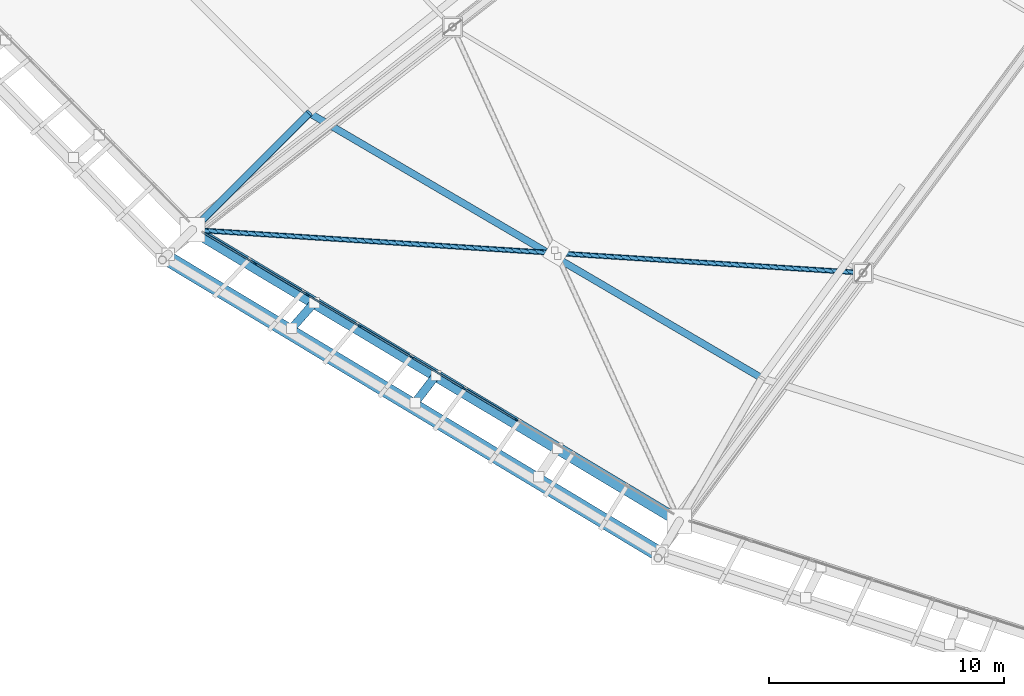
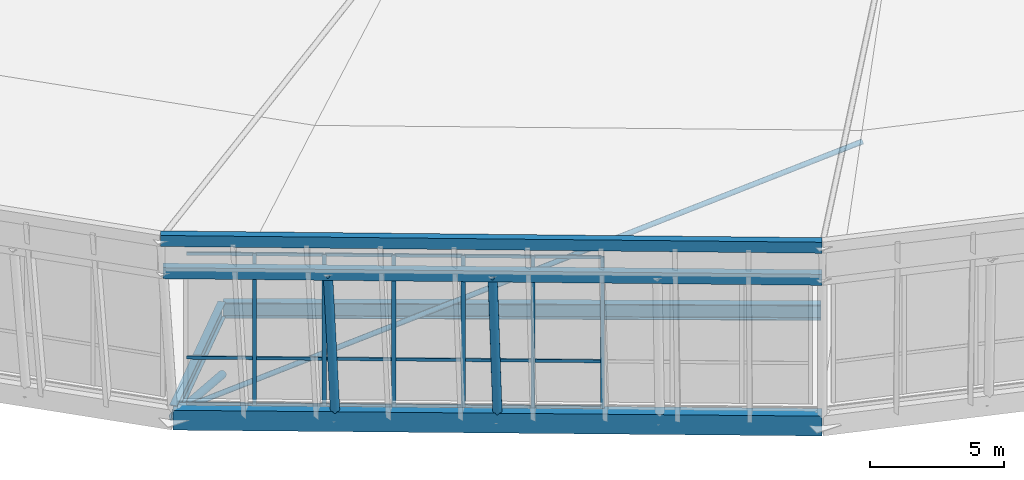
# One storey, part 3 of 115: 28 members, 5 beams, 1 element without a shape of its own.
"""IFC4 building model written with IfcOpenShell, lengths in metres."""

import ifcopenshell
import ifcopenshell.guid

model = None  # the IFC model being written
_history = None  # IfcOwnerHistory: only IFC2X3 demands one
_inside = {}  # id of a spatial element -> (the spatial element, [elements in it])
_under = {}  # id of a project, library or spatial element -> (it, [spatial elements below it])
_declared = {}  # id of a project -> (the project, [libraries it declares])
_typed = {}  # id of a type object -> (the type object, [elements of that type])
_made_of = {}  # id of a material, layer set ... -> (it, [elements and type objects made of it])


def new_model(schema):
    """Start an empty IFC model of exactly this schema.

    Asked for "IFC4X3", IfcOpenShell would pick the latest addendum, in which some entities
    have other attributes; the version numbers below select the first issue.
    IFC2X3 requires an IfcOwnerHistory on every rooted entity: one is made here for all.
    """
    global model, _history
    if schema == "IFC4X3":
        model = ifcopenshell.file(schema_version=(4, 3, 0, 0))
    else:
        model = ifcopenshell.file(schema=schema)
    _inside.clear()
    _under.clear()
    _declared.clear()
    _typed.clear()
    _made_of.clear()
    _history = None
    if model.schema == "IFC2X3":
        org = make("IfcOrganization", Name="unknown")
        user = make(
            "IfcPersonAndOrganization",
            ThePerson=make("IfcPerson", FamilyName="unknown"),
            TheOrganization=org,
        )
        app = make(
            "IfcApplication",
            ApplicationDeveloper=org,
            Version="unknown",
            ApplicationFullName="unknown",
            ApplicationIdentifier="unknown",
        )
        _history = make(
            "IfcOwnerHistory",
            OwningUser=user,
            OwningApplication=app,
            ChangeAction="ADDED",
            CreationDate=0,
        )
    return model


def make(cls, **values):
    """One entity of the class cls with the attributes given. An attribute that is None is left unset."""
    return model.create_entity(
        cls, **{name: value for name, value in values.items() if value is not None}
    )


def rooted(cls, **values):
    """An entity with a GlobalId (a new one), such as an element, a storey or a relation."""
    return make(cls, GlobalId=ifcopenshell.guid.new(), OwnerHistory=_history, **values)


def si_unit(unit_type, name, prefix=None):
    """IfcSIUnit, for example si_unit("LENGTHUNIT", "METRE", prefix="MILLI")."""
    return make("IfcSIUnit", UnitType=unit_type, Prefix=prefix, Name=name)


def assignment(units):
    """IfcUnitAssignment: the units of a project."""
    return None if units is None else make("IfcUnitAssignment", Units=units)


def point(xyz):
    """IfcCartesianPoint."""
    return None if xyz is None else make("IfcCartesianPoint", Coordinates=xyz)


def direction(xyz):
    """IfcDirection."""
    return None if xyz is None else make("IfcDirection", DirectionRatios=xyz)


def frame(location, z_axis=None, x_axis=None):
    """IfcAxis2Placement3D, a coordinate frame: its origin and axes. An axis left out is left unset."""
    return make(
        "IfcAxis2Placement3D",
        Location=point(location),
        Axis=direction(z_axis),
        RefDirection=direction(x_axis),
    )


def frame_2d(location, x_axis=None):
    """IfcAxis2Placement2D, a coordinate frame in the plane: its origin and x axis."""
    return make(
        "IfcAxis2Placement2D", Location=point(location), RefDirection=direction(x_axis)
    )


def origin():
    """The frame at (0, 0, 0) with its axes left unset."""
    return frame((0.0, 0.0, 0.0))


def origin_2d():
    """The frame at (0, 0) in the plane with its x axis left unset."""
    return frame_2d((0.0, 0.0))


def place(relative_to, where):
    """IfcLocalPlacement: puts the frame where relative to a parent placement (None: the world)."""
    return make(
        "IfcLocalPlacement", PlacementRelTo=relative_to, RelativePlacement=where
    )


def context(
    kind, dimensions, precision=None, world=None, true_north=None, identifier=None
):
    """IfcGeometricRepresentationContext, for example the 3D "Model" context."""
    return make(
        "IfcGeometricRepresentationContext",
        ContextIdentifier=identifier,
        ContextType=kind,
        CoordinateSpaceDimension=dimensions,
        Precision=precision,
        WorldCoordinateSystem=world,
        TrueNorth=true_north,
    )


def subcontext(parent, identifier, kind, view, scale=None):
    """IfcGeometricRepresentationSubContext, for example "Body" below "Model"."""
    return make(
        "IfcGeometricRepresentationSubContext",
        ContextIdentifier=identifier,
        ContextType=kind,
        ParentContext=parent,
        TargetScale=scale,
        TargetView=view,
    )


def project(units=None, contexts=None):
    """IfcProject with its units and contexts."""
    return rooted(
        "IfcProject",
        Name="project",
        RepresentationContexts=contexts,
        UnitsInContext=assignment(units),
    )


def spatial(cls, under=None, at=None, **own):
    """A site, building, storey or space (cls), placed at a placement, below another one or the project."""
    s = rooted(cls, ObjectPlacement=at, **own)
    if under is not None:
        _under.setdefault(under.id(), (under, []))[1].append(s)
    return s


def profile(cls, at=None, kind="AREA", **sizes):
    """A parametric profile (cls). Its sizes go by their IFC names, for example OverallWidth=200.0."""
    return make(cls, ProfileType=kind, Position=at, **sizes)


def rectangle(**sizes):
    """IfcRectangleProfileDef."""
    return profile("IfcRectangleProfileDef", **sizes)


def hollow_rectangle(**sizes):
    """IfcRectangleHollowProfileDef."""
    return profile("IfcRectangleHollowProfileDef", **sizes)


def hollow_circle(**sizes):
    """IfcCircleHollowProfileDef."""
    return profile("IfcCircleHollowProfileDef", **sizes)


def i_section(**sizes):
    """IfcIShapeProfileDef."""
    return profile("IfcIShapeProfileDef", **sizes)


def extrude(swept, where, along, depth):
    """IfcExtrudedAreaSolid: the profile swept, set in the frame where, extruded along a direction by depth."""
    return make(
        "IfcExtrudedAreaSolid",
        SweptArea=swept,
        Position=where,
        ExtrudedDirection=direction(along),
        Depth=depth,
    )


def shape(context_of_items, identifier, shape_type, items):
    """IfcShapeRepresentation: the items that make up one representation, for example the "Body"."""
    return make(
        "IfcShapeRepresentation",
        ContextOfItems=context_of_items,
        RepresentationIdentifier=identifier,
        RepresentationType=shape_type,
        Items=items,
    )


def material(Name=None, Category=None):
    """IfcMaterial."""
    return make("IfcMaterial", Name=Name, Category=Category)


def material_profile(
    of_material, cross_section, Name=None, Category=None, Priority=None
):
    """IfcMaterialProfile: a cross section and its material."""
    return make(
        "IfcMaterialProfile",
        Name=Name,
        Material=of_material,
        Profile=cross_section,
        Priority=Priority,
        Category=Category,
    )


def profile_set(profiles, Name=None, composite=None):
    """IfcMaterialProfileSet."""
    return make(
        "IfcMaterialProfileSet",
        Name=Name,
        MaterialProfiles=profiles,
        CompositeProfile=composite,
    )


def made_of(thing, what):
    """Note that an element or type object is made of a material, layer set ...; save() writes the relation."""
    if what is not None:
        _made_of.setdefault(what.id(), (what, []))[1].append(thing)
    return thing


def type_object(cls, material=None, **own):
    """A type object (cls), such as IfcWallType, which elements share."""
    return made_of(rooted(cls, **own), material)


def element(
    cls,
    number,
    at=None,
    inside=None,
    cuts=None,
    type_object=None,
    material=None,
    context=None,
    identifier="Body",
    shape_type=None,
    held_by="IfcProductDefinitionShape",
    body=None,
    shapes=None,
    **own,
):
    """One element of the class cls, such as IfcWall. Its Tag is "e" and its number.

    at: its placement. inside: the storey or other place that contains it. cuts: it is an
    opening in that element (IfcRelVoidsElement). A single representation is given by context,
    identifier, shape_type and body (its items); several are given by shapes. held_by: the class
    of the entity that holds the representations. save() writes the other relations.
    """
    e = rooted(cls, Tag="e%d" % number, ObjectPlacement=at, **own)
    if body is not None:
        shapes = [shape(context, identifier, shape_type, body)]
    if shapes is not None:
        e.Representation = make(held_by, Representations=shapes)
    if inside is not None:
        _inside.setdefault(inside.id(), (inside, []))[1].append(e)
    if cuts is not None:
        rooted(
            "IfcRelVoidsElement", RelatingBuildingElement=cuts, RelatedOpeningElement=e
        )
    if type_object is not None:
        _typed.setdefault(type_object.id(), (type_object, []))[1].append(e)
    return made_of(e, material)


def aggregate(whole, parts):
    """IfcRelAggregates: a whole, such as a stair, and the parts it consists of."""
    return rooted("IfcRelAggregates", RelatingObject=whole, RelatedObjects=parts)


def save(model, path):
    """Write the relations noted so far, then the file.

    IfcRelAggregates (storeys below a building ...), IfcRelContainedInSpatialStructure (elements
    in a storey), IfcRelDefinesByType, IfcRelAssociatesMaterial and IfcRelDeclares: one each for
    every whole, place, type object, material and project.
    """
    for whole, parts in _under.values():
        aggregate(whole, parts)
    for where, things in _inside.values():
        rooted(
            "IfcRelContainedInSpatialStructure",
            RelatedElements=things,
            RelatingStructure=where,
        )
    for kind, things in _typed.values():
        rooted("IfcRelDefinesByType", RelatedObjects=things, RelatingType=kind)
    for what, things in _made_of.values():
        rooted("IfcRelAssociatesMaterial", RelatedObjects=things, RelatingMaterial=what)
    for by, libraries in _declared.values():
        rooted("IfcRelDeclares", RelatingContext=by, RelatedDefinitions=libraries)
    model.write(path)


model = new_model("IFC4")

# Units and contexts
model_context = context("Model", 3, precision=1e-05, world=origin(), true_north=direction((0.0, 1.0)))
body_context = subcontext(model_context, "Body", "Model", "MODEL_VIEW")
ifc_project = project(units=[si_unit("LENGTHUNIT", "METRE"), si_unit("AREAUNIT", "SQUARE_METRE"), si_unit("VOLUMEUNIT", "CUBIC_METRE"), si_unit("PLANEANGLEUNIT", "RADIAN"), si_unit("MASSUNIT", "GRAM", prefix="KILO")], contexts=[model_context])

# Site, building, storey
site_placement = place(None, origin())
site = spatial("IfcSite", under=ifc_project, at=site_placement, CompositionType="ELEMENT")
building_placement = place(site_placement, origin())
building = spatial("IfcBuilding", under=site, at=building_placement, Name="Zlatoyarsky Gate Stadium", CompositionType="ELEMENT")
storey_placement = place(building_placement, frame((0.0, 0.0, 31.800048828125)))
storey = spatial("IfcBuildingStorey", under=building, at=storey_placement, Name="RF", CompositionType="ELEMENT", Elevation=31.800048828125)

# Curtain wall, members
ifc_material_1 = material(Name="Thermally broken anodised aluminium curtain wall", Category="aluminium")
curtain_wall_type = type_object("IfcCurtainWallType", Name="UNITISED SKYBOX RING GLAZING L05", PredefinedType="USERDEFINED", material=ifc_material_1)
curtain_wall_placement = place(storey_placement, origin())
curtain_wall = element("IfcCurtainWall", 1, at=curtain_wall_placement, inside=storey, type_object=curtain_wall_type, Name="Curtain wall CW-RF-15", ObjectType="UNITISED GLAZING", PredefinedType="USERDEFINED")
ifc_material_2 = material(Name="Anodised aluminium 6063-T6", Category="aluminium")
ifc_material_profile_1 = material_profile(ifc_material_2, rectangle(XDim=0.06494140625, YDim=0.159912109375, at=origin_2d()), Name="ALU 65X160")
ifc_profile_set_1 = profile_set([ifc_material_profile_1], Name="Anodised aluminium 6063-T6")
member_type_1 = type_object("IfcMemberType", Name="ALUMINIUM MULLION 65X160", PredefinedType="MULLION", material=ifc_profile_set_1)
member_1_placement = place(storey_placement, frame((42.934326171875, 23.39013671875, 0.0), z_axis=(0.0, 0.0, 1.0), x_axis=(0.513435995817, 0.858127891517, 0.0)))
member_1 = element("IfcMember", 2, at=member_1_placement, type_object=member_type_1, Name="CW-UG5 mullion 2", PredefinedType="MULLION", context=body_context, shape_type="SweptSolid", body=[
    extrude(rectangle(XDim=0.06494140625, YDim=0.159912109375, at=origin_2d()), origin(), (0.0, 0.0, 1.0), 6.89990234375),
])
member_2_placement = place(storey_placement, frame((45.15673828125, 22.060302734375, 0.0), z_axis=(0.0, 0.0, 1.0), x_axis=(0.513435995817, 0.858127891517, 0.0)))
member_2 = element("IfcMember", 3, at=member_2_placement, type_object=member_type_1, Name="CW-UG5 mullion 3", PredefinedType="MULLION", context=body_context, shape_type="SweptSolid", body=[
    extrude(rectangle(XDim=0.06494140625, YDim=0.159912109375, at=origin_2d()), origin(), (0.0, 0.0, 1.0), 6.89990234375),
])
member_3_placement = place(storey_placement, frame((47.379150390625, 20.730712890625, 0.0), z_axis=(0.0, 0.0, 1.0), x_axis=(0.513435995817, 0.858127891517, 0.0)))
member_3 = element("IfcMember", 4, at=member_3_placement, type_object=member_type_1, Name="CW-UG5 mullion 4", PredefinedType="MULLION", context=body_context, shape_type="SweptSolid", body=[
    extrude(rectangle(XDim=0.06494140625, YDim=0.159912109375, at=origin_2d()), origin(), (0.0, 0.0, 1.0), 6.89990234375),
])
member_4_placement = place(storey_placement, frame((49.601318359375, 19.401123046875, 0.0), z_axis=(0.0, 0.0, 1.0), x_axis=(0.513435995817, 0.858127891517, 0.0)))
member_4 = element("IfcMember", 5, at=member_4_placement, type_object=member_type_1, Name="CW-UG5 mullion 5", PredefinedType="MULLION", context=body_context, shape_type="SweptSolid", body=[
    extrude(rectangle(XDim=0.06494140625, YDim=0.159912109375, at=origin_2d()), origin(), (0.0, 0.0, 1.0), 6.89990234375),
])
member_5_placement = place(storey_placement, frame((51.82373046875, 18.071533203125, 0.0), z_axis=(0.0, 0.0, 1.0), x_axis=(0.513435995817, 0.858127891517, 0.0)))
member_5 = element("IfcMember", 6, at=member_5_placement, type_object=member_type_1, Name="CW-UG5 mullion 6", PredefinedType="MULLION", context=body_context, shape_type="SweptSolid", body=[
    extrude(rectangle(XDim=0.06494140625, YDim=0.159912109375, at=origin_2d()), origin(), (0.0, 0.0, 1.0), 6.89990234375),
])
member_6_placement = place(storey_placement, frame((54.0458984375, 16.74169921875, 0.0), z_axis=(0.0, 0.0, 1.0), x_axis=(0.513435995817, 0.858127891517, 0.0)))
member_6 = element("IfcMember", 7, at=member_6_placement, type_object=member_type_1, Name="CW-UG5 mullion 7", PredefinedType="MULLION", context=body_context, shape_type="SweptSolid", body=[
    extrude(rectangle(XDim=0.06494140625, YDim=0.159912109375, at=origin_2d()), origin(), (0.0, 0.0, 1.0), 6.89990234375),
])
ifc_material_profile_2 = material_profile(ifc_material_2, rectangle(XDim=0.06494140625, YDim=0.139892578125, at=origin_2d()), Name="ALU 65X140")
ifc_profile_set_2 = profile_set([ifc_material_profile_2], Name="Anodised aluminium 6063-T6")
member_type_2 = type_object("IfcMemberType", Name="ALUMINIUM TRANSOM 65X140", PredefinedType="USERDEFINED", material=ifc_profile_set_2)
member_7_placement = place(storey_placement, frame((40.767822265625, 24.686279296875, 0.032470703125), z_axis=(0.858140517971, -0.513414892087, 0.0), x_axis=(0.513414892087, 0.858140517971, 0.0)))
member_7 = element("IfcMember", 8, at=member_7_placement, type_object=member_type_2, Name="CW-UG5 transom 1.1", ObjectType="TRANSOM", PredefinedType="USERDEFINED", context=body_context, shape_type="SweptSolid", body=[
    extrude(rectangle(XDim=0.06494140625, YDim=0.139892578125, at=origin_2d()), origin(), (0.0, 0.0, 1.0), 2.4921875),
])
member_8_placement = place(storey_placement, frame((40.767822265625, 24.686279296875, 2.14990234375), z_axis=(0.858140517971, -0.513414892087, 0.0), x_axis=(0.513414892087, 0.858140517971, 0.0)))
member_8 = element("IfcMember", 9, at=member_8_placement, type_object=member_type_2, Name="CW-UG5 transom 1.2", ObjectType="TRANSOM", PredefinedType="USERDEFINED", context=body_context, shape_type="SweptSolid", body=[
    extrude(rectangle(XDim=0.06494140625, YDim=0.139892578125, at=origin_2d()), origin(), (0.0, 0.0, 1.0), 2.4921875),
])
member_9_placement = place(storey_placement, frame((40.767822265625, 24.686279296875, 6.867431640625), z_axis=(0.858140517971, -0.513414892087, 0.0), x_axis=(0.513414892087, 0.858140517971, 0.0)))
member_9 = element("IfcMember", 10, at=member_9_placement, type_object=member_type_2, Name="CW-UG5 transom 1.3", ObjectType="TRANSOM", PredefinedType="USERDEFINED", context=body_context, shape_type="SweptSolid", body=[
    extrude(rectangle(XDim=0.06494140625, YDim=0.139892578125, at=origin_2d()), origin(), (0.0, 0.0, 1.0), 2.4921875),
])
member_10_placement = place(storey_placement, frame((42.96240234375, 23.373291015625, 0.032470703125), z_axis=(0.858149243312, -0.51340030795, 0.0), x_axis=(0.51340030795, 0.858149243312, 0.0)))
member_10 = element("IfcMember", 11, at=member_10_placement, type_object=member_type_2, Name="CW-UG5 transom 2.1", ObjectType="TRANSOM", PredefinedType="USERDEFINED", context=body_context, shape_type="SweptSolid", body=[
    extrude(rectangle(XDim=0.06494140625, YDim=0.139892578125, at=origin_2d()), origin(), (0.0, 0.0, 1.0), 2.524658203125),
])
member_11_placement = place(storey_placement, frame((42.96240234375, 23.373291015625, 2.14990234375), z_axis=(0.858149243312, -0.51340030795, 0.0), x_axis=(0.51340030795, 0.858149243312, 0.0)))
member_11 = element("IfcMember", 12, at=member_11_placement, type_object=member_type_2, Name="CW-UG5 transom 2.2", ObjectType="TRANSOM", PredefinedType="USERDEFINED", context=body_context, shape_type="SweptSolid", body=[
    extrude(rectangle(XDim=0.06494140625, YDim=0.139892578125, at=origin_2d()), origin(), (0.0, 0.0, 1.0), 2.524658203125),
])
member_12_placement = place(storey_placement, frame((42.96240234375, 23.373291015625, 6.867431640625), z_axis=(0.858149243312, -0.51340030795, 0.0), x_axis=(0.51340030795, 0.858149243312, 0.0)))
member_12 = element("IfcMember", 13, at=member_12_placement, type_object=member_type_2, Name="CW-UG5 transom 2.3", ObjectType="TRANSOM", PredefinedType="USERDEFINED", context=body_context, shape_type="SweptSolid", body=[
    extrude(rectangle(XDim=0.06494140625, YDim=0.139892578125, at=origin_2d()), origin(), (0.0, 0.0, 1.0), 2.524658203125),
])
member_13_placement = place(storey_placement, frame((45.1845703125, 22.043701171875, 0.032470703125), z_axis=(0.858106637298, -0.513471517248, 0.0), x_axis=(0.513471517248, 0.858106637298, 0.0)))
member_13 = element("IfcMember", 14, at=member_13_placement, type_object=member_type_2, Name="CW-UG5 transom 3.1", ObjectType="TRANSOM", PredefinedType="USERDEFINED", context=body_context, shape_type="SweptSolid", body=[
    extrude(rectangle(XDim=0.06494140625, YDim=0.139892578125, at=origin_2d()), origin(), (0.0, 0.0, 1.0), 2.524658203125),
])
member_14_placement = place(storey_placement, frame((45.1845703125, 22.043701171875, 2.14990234375), z_axis=(0.858106637298, -0.513471517248, 0.0), x_axis=(0.513471517248, 0.858106637298, 0.0)))
member_14 = element("IfcMember", 15, at=member_14_placement, type_object=member_type_2, Name="CW-UG5 transom 3.2", ObjectType="TRANSOM", PredefinedType="USERDEFINED", context=body_context, shape_type="SweptSolid", body=[
    extrude(rectangle(XDim=0.06494140625, YDim=0.139892578125, at=origin_2d()), origin(), (0.0, 0.0, 1.0), 2.524658203125),
])
member_15_placement = place(storey_placement, frame((45.1845703125, 22.043701171875, 6.867431640625), z_axis=(0.858106637298, -0.513471517248, 0.0), x_axis=(0.513471517248, 0.858106637298, 0.0)))
member_15 = element("IfcMember", 16, at=member_15_placement, type_object=member_type_2, Name="CW-UG5 transom 3.3", ObjectType="TRANSOM", PredefinedType="USERDEFINED", context=body_context, shape_type="SweptSolid", body=[
    extrude(rectangle(XDim=0.06494140625, YDim=0.139892578125, at=origin_2d()), origin(), (0.0, 0.0, 1.0), 2.524658203125),
])
member_16_placement = place(storey_placement, frame((47.406982421875, 20.714111328125, 0.032470703125), z_axis=(0.858106637298, -0.513471517248, 0.0), x_axis=(0.513471517248, 0.858106637298, 0.0)))
member_16 = element("IfcMember", 17, at=member_16_placement, type_object=member_type_2, Name="CW-UG5 transom 4.1", ObjectType="TRANSOM", PredefinedType="USERDEFINED", context=body_context, shape_type="SweptSolid", body=[
    extrude(rectangle(XDim=0.06494140625, YDim=0.139892578125, at=origin_2d()), origin(), (0.0, 0.0, 1.0), 2.524658203125),
])
member_17_placement = place(storey_placement, frame((47.406982421875, 20.714111328125, 2.14990234375), z_axis=(0.858106637298, -0.513471517248, 0.0), x_axis=(0.513471517248, 0.858106637298, 0.0)))
member_17 = element("IfcMember", 18, at=member_17_placement, type_object=member_type_2, Name="CW-UG5 transom 4.2", ObjectType="TRANSOM", PredefinedType="USERDEFINED", context=body_context, shape_type="SweptSolid", body=[
    extrude(rectangle(XDim=0.06494140625, YDim=0.139892578125, at=origin_2d()), origin(), (0.0, 0.0, 1.0), 2.524658203125),
])
member_18_placement = place(storey_placement, frame((47.406982421875, 20.714111328125, 6.867431640625), z_axis=(0.858106637298, -0.513471517248, 0.0), x_axis=(0.513471517248, 0.858106637298, 0.0)))
member_18 = element("IfcMember", 19, at=member_18_placement, type_object=member_type_2, Name="CW-UG5 transom 4.3", ObjectType="TRANSOM", PredefinedType="USERDEFINED", context=body_context, shape_type="SweptSolid", body=[
    extrude(rectangle(XDim=0.06494140625, YDim=0.139892578125, at=origin_2d()), origin(), (0.0, 0.0, 1.0), 2.524658203125),
])
member_19_placement = place(storey_placement, frame((49.629150390625, 19.38427734375, 0.032470703125), z_axis=(0.858149243312, -0.51340030795, 0.0), x_axis=(0.51340030795, 0.858149243312, 0.0)))
member_19 = element("IfcMember", 20, at=member_19_placement, type_object=member_type_2, Name="CW-UG5 transom 5.1", ObjectType="TRANSOM", PredefinedType="USERDEFINED", context=body_context, shape_type="SweptSolid", body=[
    extrude(rectangle(XDim=0.06494140625, YDim=0.139892578125, at=origin_2d()), origin(), (0.0, 0.0, 1.0), 2.524658203125),
])
member_20_placement = place(storey_placement, frame((49.629150390625, 19.38427734375, 2.14990234375), z_axis=(0.858149243312, -0.51340030795, 0.0), x_axis=(0.51340030795, 0.858149243312, 0.0)))
member_20 = element("IfcMember", 21, at=member_20_placement, type_object=member_type_2, Name="CW-UG5 transom 5.2", ObjectType="TRANSOM", PredefinedType="USERDEFINED", context=body_context, shape_type="SweptSolid", body=[
    extrude(rectangle(XDim=0.06494140625, YDim=0.139892578125, at=origin_2d()), origin(), (0.0, 0.0, 1.0), 2.524658203125),
])
member_21_placement = place(storey_placement, frame((49.629150390625, 19.38427734375, 6.867431640625), z_axis=(0.858149243312, -0.51340030795, 0.0), x_axis=(0.51340030795, 0.858149243312, 0.0)))
member_21 = element("IfcMember", 22, at=member_21_placement, type_object=member_type_2, Name="CW-UG5 transom 5.3", ObjectType="TRANSOM", PredefinedType="USERDEFINED", context=body_context, shape_type="SweptSolid", body=[
    extrude(rectangle(XDim=0.06494140625, YDim=0.139892578125, at=origin_2d()), origin(), (0.0, 0.0, 1.0), 2.524658203125),
])
member_22_placement = place(storey_placement, frame((51.8515625, 18.0546875, 0.032470703125), z_axis=(0.858149243312, -0.51340030795, 0.0), x_axis=(0.51340030795, 0.858149243312, 0.0)))
member_22 = element("IfcMember", 23, at=member_22_placement, type_object=member_type_2, Name="CW-UG5 transom 6.1", ObjectType="TRANSOM", PredefinedType="USERDEFINED", context=body_context, shape_type="SweptSolid", body=[
    extrude(rectangle(XDim=0.06494140625, YDim=0.139892578125, at=origin_2d()), origin(), (0.0, 0.0, 1.0), 2.524658203125),
])
member_23_placement = place(storey_placement, frame((51.8515625, 18.0546875, 2.14990234375), z_axis=(0.858149243312, -0.51340030795, 0.0), x_axis=(0.51340030795, 0.858149243312, 0.0)))
member_23 = element("IfcMember", 24, at=member_23_placement, type_object=member_type_2, Name="CW-UG5 transom 6.2", ObjectType="TRANSOM", PredefinedType="USERDEFINED", context=body_context, shape_type="SweptSolid", body=[
    extrude(rectangle(XDim=0.06494140625, YDim=0.139892578125, at=origin_2d()), origin(), (0.0, 0.0, 1.0), 2.524658203125),
])
member_24_placement = place(storey_placement, frame((51.8515625, 18.0546875, 6.867431640625), z_axis=(0.858149243312, -0.51340030795, 0.0), x_axis=(0.51340030795, 0.858149243312, 0.0)))
member_24 = element("IfcMember", 25, at=member_24_placement, type_object=member_type_2, Name="CW-UG5 transom 6.3", ObjectType="TRANSOM", PredefinedType="USERDEFINED", context=body_context, shape_type="SweptSolid", body=[
    extrude(rectangle(XDim=0.06494140625, YDim=0.139892578125, at=origin_2d()), origin(), (0.0, 0.0, 1.0), 2.524658203125),
])
aggregate(curtain_wall, [member_1, member_2, member_3, member_4, member_5, member_6, member_7, member_8, member_9, member_10, member_11, member_12, member_13, member_14, member_15, member_16, member_17, member_18, member_19, member_20, member_21, member_22, member_23, member_24])

# Members
ifc_material_3 = material(Name="Steel S355", Category="steel")
ifc_material_profile_3 = material_profile(ifc_material_3, hollow_circle(Radius=0.109619140625, WallThickness=0.012451171875, at=origin_2d()), Name="CHS 219.1X12.5")
ifc_profile_set_3 = profile_set([ifc_material_profile_3], Name="Steel S355")
member_type_3 = type_object("IfcMemberType", Name="STEEL CANOPY WIND BRACE CHS 219.1X12.5", PredefinedType="BRACE", material=ifc_profile_set_3)
member_25_placement = place(storey_placement, frame((40.269775390625, 24.826171875, -0.25), z_axis=(0.990968055073, -0.063598151737, 0.118057566128), x_axis=(0.064046041539, 0.997946944764, 0.0)))
element("IfcMember", 26, at=member_25_placement, inside=storey, type_object=member_type_3, Name="Roof wind X-brace continuous diagonal 15", PredefinedType="BRACE", context=body_context, shape_type="SweptSolid", body=[
    extrude(hollow_circle(Radius=0.109619140625, WallThickness=0.012451171875, at=origin_2d()), origin(), (0.0, 0.0, 1.0), 28.798583984375),
])
ifc_material_profile_4 = material_profile(ifc_material_3, hollow_circle(Radius=0.177734375, WallThickness=0.02001953125, at=origin_2d()), Name="CHS 355.6X20")
ifc_profile_set_4 = profile_set([ifc_material_profile_4], Name="Steel S355")
member_type_4 = type_object("IfcMemberType", Name="STEEL LEANING RIB RING STRUT CHS 355.6X20", PredefinedType="STRUT", material=ifc_profile_set_4)
member_26_placement = place(storey_placement, frame((45.448974609375, 21.72607421875, -0.449951171875), z_axis=(-0.124302075226, -0.141653887757, 0.982081040535), x_axis=(0.751642626138, -0.659570589529, 0.0)))
element("IfcMember", 27, at=member_26_placement, inside=storey, type_object=member_type_4, Name="Outward-leaning bowl louvre fin rib RF 15-1", PredefinedType="STRUT", context=body_context, shape_type="SweptSolid", body=[
    extrude(hollow_circle(Radius=0.177734375, WallThickness=0.02001953125, at=origin_2d()), origin(), (0.0, 0.0, 1.0), 7.738525390625),
])
member_27_placement = place(storey_placement, frame((50.6279296875, 18.626220703125, -0.449951171875), z_axis=(-0.114467859113, -0.149205762334, 0.982158210125), x_axis=(0.793409192517, -0.608688634056, 0.0)))
element("IfcMember", 28, at=member_27_placement, inside=storey, type_object=member_type_4, Name="Outward-leaning bowl louvre fin rib RF 15-2", PredefinedType="STRUT", context=body_context, shape_type="SweptSolid", body=[
    extrude(hollow_circle(Radius=0.177734375, WallThickness=0.02001953125, at=origin_2d()), origin(), (0.0, 0.0, 1.0), 7.73779296875),
])

# Beams
ifc_material_profile_5 = material_profile(ifc_material_3, hollow_rectangle(XDim=0.300048828125, YDim=0.5, WallThickness=0.02001953125, at=origin_2d()), Name="RHS 500X300X20")
ifc_profile_set_5 = profile_set([ifc_material_profile_5], Name="Steel S355")
beam_type_1 = type_object("IfcBeamType", Name="STEEL LOUVRE CARRIER SPANDREL RHS 500X300X20", PredefinedType="SPANDREL", material=ifc_profile_set_5)
beam_1_placement = place(storey_placement, frame((39.23193359375, 23.788330078125, 7.14990234375), z_axis=(0.857112353268, -0.51512951175, 0.0), x_axis=(0.51512951175, 0.857112353268, 0.0)))
element("IfcBeam", 29, at=beam_1_placement, inside=storey, type_object=beam_type_1, Name="Crown eaves fascia bottom carrier spandrel 15", PredefinedType="SPANDREL", context=body_context, shape_type="SweptSolid", body=[
    extrude(hollow_rectangle(XDim=0.300048828125, YDim=0.5, WallThickness=0.02001953125, at=origin_2d()), origin(), (0.0, 0.0, 1.0), 24.5244140625),
])
beam_2_placement = place(storey_placement, frame((38.9853515625, 23.54150390625, 8.849853515625), z_axis=(0.856897250125, -0.515487247882, 0.0), x_axis=(0.515487247882, 0.856897250125, 0.0)))
element("IfcBeam", 30, at=beam_2_placement, inside=storey, type_object=beam_type_1, Name="Crown fascia top carrier spandrel 15", PredefinedType="SPANDREL", context=body_context, shape_type="SweptSolid", body=[
    extrude(hollow_rectangle(XDim=0.300048828125, YDim=0.5, WallThickness=0.02001953125, at=origin_2d()), origin(), (0.0, 0.0, 1.0), 24.614990234375),
])
ifc_material_profile_6 = material_profile(ifc_material_3, hollow_rectangle(XDim=0.5, YDim=0.89990234375, WallThickness=0.028076171875, at=origin_2d()), Name="RHS 900X500X28")
ifc_profile_set_6 = profile_set([ifc_material_profile_6], Name="Steel S355")
beam_type_2 = type_object("IfcBeamType", Name="STEEL OUTER COMPRESSION RING BEAM RHS 900X500X28", PredefinedType="USERDEFINED", material=ifc_profile_set_6)
beam_3_placement = place(storey_placement, frame((40.269775390625, 24.826171875, -0.449951171875), z_axis=(0.85803403139, -0.513592835792, 0.0), x_axis=(0.513592835792, 0.85803403139, 0.0)))
element("IfcBeam", 31, at=beam_3_placement, inside=storey, type_object=beam_type_2, Name="Outer compression ring beam 15", ObjectType="RING BEAM", PredefinedType="USERDEFINED", context=body_context, shape_type="SweptSolid", body=[
    extrude(hollow_rectangle(XDim=0.5, YDim=0.89990234375, WallThickness=0.028076171875, at=origin_2d()), origin(), (0.0, 0.0, 1.0), 24.14404296875),
])
ifc_material_profile_7 = material_profile(ifc_material_3, i_section(OverallWidth=0.300048828125, OverallDepth=0.699951171875, WebThickness=0.01708984375, FlangeThickness=0.031982421875, FilletRadius=0.027099609375, at=origin_2d()), Name="HEB 700")
ifc_profile_set_7 = profile_set([ifc_material_profile_7], Name="Steel S355")
beam_type_3 = type_object("IfcBeamType", Name="STEEL ROOF RING GIRDER HEB 700", PredefinedType="BEAM", material=ifc_profile_set_7)
beam_4_placement = place(storey_placement, frame((45.210693359375, 29.76708984375, -0.300048828125), z_axis=(-0.707106781187, -0.707106781187, 0.0), x_axis=(0.707106781187, -0.707106781187, 0.0)))
element("IfcBeam", 32, at=beam_4_placement, inside=storey, type_object=beam_type_3, Name="RF roof tie girder BM-RF-COUT-15", PredefinedType="BEAM", context=body_context, shape_type="SweptSolid", body=[
    extrude(i_section(OverallWidth=0.300048828125, OverallDepth=0.699951171875, WebThickness=0.01708984375, FlangeThickness=0.031982421875, FilletRadius=0.027099609375, at=origin_2d()), origin(), (0.0, 0.0, 1.0), 6.987548828125),
])
beam_5_placement = place(storey_placement, frame((45.273681640625, 29.775146484375, -0.300048828125), z_axis=(0.862849851446, -0.505460318778, 0.0), x_axis=(0.505460318778, 0.862849851446, 0.0)))
element("IfcBeam", 33, at=beam_5_placement, inside=storey, type_object=beam_type_3, Name="RF roof tie girder BM-RF-CRC-15", PredefinedType="BEAM", context=body_context, shape_type="SweptSolid", body=[
    extrude(i_section(OverallWidth=0.300048828125, OverallDepth=0.699951171875, WebThickness=0.01708984375, FlangeThickness=0.031982421875, FilletRadius=0.027099609375, at=origin_2d()), origin(), (0.0, 0.0, 1.0), 22.242431640625),
])

# Member
ifc_material_profile_8 = material_profile(ifc_material_3, hollow_circle(Radius=0.161865234375, WallThickness=0.01611328125, at=origin_2d()), Name="CHS 323.9X16")
ifc_profile_set_8 = profile_set([ifc_material_profile_8], Name="Steel S355")
member_type_5 = type_object("IfcMemberType", Name="STEEL TRUSS WEB STRUT CHS 323.9X16", PredefinedType="STRUT", material=ifc_profile_set_8)
member_28_placement = place(storey_placement, frame((45.239013671875, 29.79541015625, -3.300048828125), z_axis=(-0.655268385367, -0.655268385367, 0.375828000922), x_axis=(0.707106781187, -0.707106781187, 0.0)))
element("IfcMember", 34, at=member_28_placement, inside=storey, type_object=member_type_5, Name="Arch heel prop 15", PredefinedType="STRUT", context=body_context, shape_type="SweptSolid", body=[
    extrude(hollow_circle(Radius=0.161865234375, WallThickness=0.01611328125, at=origin_2d()), origin(), (0.0, 0.0, 1.0), 7.58349609375),
])

save(model, "model.ifc")
